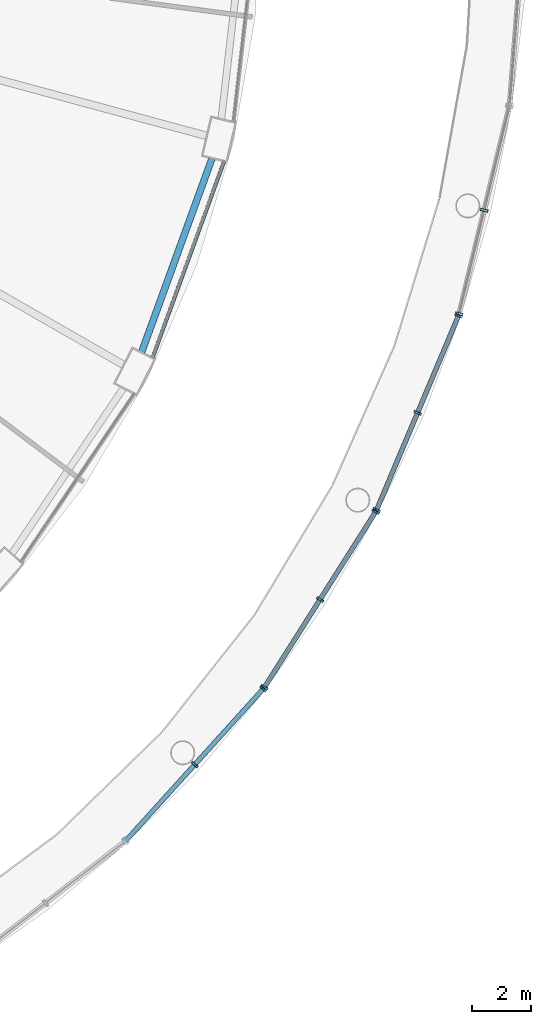
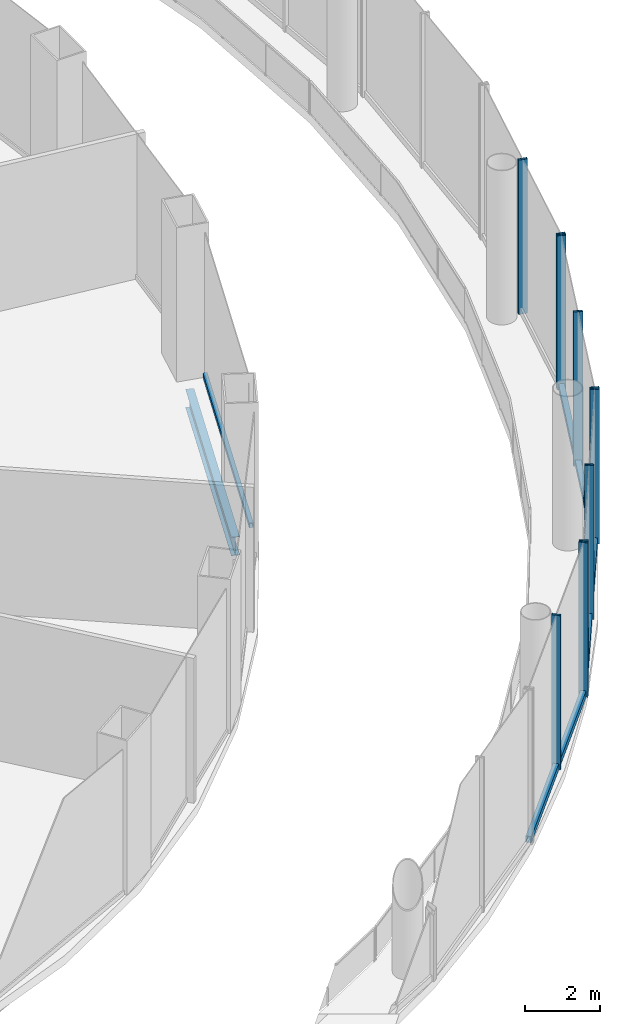
# One storey, part 24 of 47: 14 members, 1 beam, 5 elements without a shape of their own.
"""IFC4 building model written with IfcOpenShell, lengths in metres."""

from ifc_helpers import new_model, si_unit, direction, frame, origin, origin_2d, place, context, subcontext, project, spatial, hollow_rectangle, i_section, extrude, material, layer, layer_set, material_profile, profile_set, type_object, element, aggregate, save


model = new_model("IFC4")

# Units and contexts
model_context = context("Model", 3, precision=1e-05, world=origin(), true_north=direction((0.0, 1.0)))
body_context = subcontext(model_context, "Body", "Model", "MODEL_VIEW")
ifc_project = project(units=[si_unit("LENGTHUNIT", "METRE"), si_unit("AREAUNIT", "SQUARE_METRE"), si_unit("VOLUMEUNIT", "CUBIC_METRE"), si_unit("PLANEANGLEUNIT", "RADIAN"), si_unit("MASSUNIT", "GRAM", prefix="KILO")], contexts=[model_context])

# Site, building, storey
site_placement = place(None, origin())
site = spatial("IfcSite", under=ifc_project, at=site_placement, CompositionType="ELEMENT")
building_placement = place(site_placement, origin())
building = spatial("IfcBuilding", under=site, at=building_placement, Name="Nagisa Residences", CompositionType="ELEMENT")
storey_placement = place(building_placement, frame((0.0, 0.0, 17.0)))
storey = spatial("IfcBuildingStorey", under=building, at=storey_placement, Name="L03", CompositionType="ELEMENT", Elevation=17.0)

# Curtain wall, members
ifc_material_1 = material(Name="Stainless steel curtain wall system", Category="steel")
ifc_layer_1 = layer(ifc_material_1, 0.159912109375)
ifc_layer_set_1 = layer_set([ifc_layer_1], Name="CW3 CURTAIN WALL")
curtain_wall_type_1 = type_object("IfcCurtainWallType", Name="CW3 CURTAIN WALL", PredefinedType="NOTDEFINED", material=ifc_layer_set_1)
curtain_wall_1_placement = place(storey_placement, origin())
curtain_wall_1 = element("IfcCurtainWall", 1, at=curtain_wall_1_placement, inside=storey, type_object=curtain_wall_type_1, Name="cw:CW3:L03:31", PredefinedType="NOTDEFINED")
ifc_material_2 = material(Name="Stainless steel", Category="steel")
ifc_material_profile_1 = material_profile(ifc_material_2, hollow_rectangle(XDim=0.25, YDim=0.080078125, WallThickness=0.008056640625, at=origin_2d()), Name="CW3 MULLION 250x80")
ifc_profile_set_1 = profile_set([ifc_material_profile_1], Name="Stainless steel")
member_type_1 = type_object("IfcMemberType", Name="CW3 MULLION 250x80", PredefinedType="MULLION", material=ifc_profile_set_1)
member_1_placement = place(storey_placement, frame((30.30859375, -29.53173828125, 0.0), z_axis=(0.0, 0.0, 1.0), x_axis=(-0.741535779122, 0.670913323971, 0.0)))
member_1 = element("IfcMember", 2, at=member_1_placement, type_object=member_type_1, Name="CW3 mullion", PredefinedType="MULLION", context=body_context, shape_type="SweptSolid", body=[
    extrude(hollow_rectangle(XDim=0.25, YDim=0.080078125, WallThickness=0.008056640625, at=origin_2d()), origin(), (0.0, 0.0, 1.0), 5.0),
])
member_2_placement = place(storey_placement, frame((32.62353515625, -26.97314453125, 0.0), z_axis=(0.0, 0.0, 1.0), x_axis=(-0.741535779122, 0.670913323971, 0.0)))
member_2 = element("IfcMember", 3, at=member_2_placement, type_object=member_type_1, Name="CW3 mullion", PredefinedType="MULLION", context=body_context, shape_type="SweptSolid", body=[
    extrude(hollow_rectangle(XDim=0.25, YDim=0.080078125, WallThickness=0.008056640625, at=origin_2d()), origin(), (0.0, 0.0, 1.0), 5.0),
])

curtain_wall_2_placement = place(storey_placement, origin())
curtain_wall_2 = element("IfcCurtainWall", 4, at=curtain_wall_2_placement, inside=storey, type_object=curtain_wall_type_1, Name="cw:CW3:L03:32", PredefinedType="NOTDEFINED")
member_3_placement = place(storey_placement, frame((32.66357421875, -26.92041015625, 0.0), z_axis=(0.0, 0.0, 1.0), x_axis=(-0.844747368001, 0.535165286856, 0.0)))
member_3 = element("IfcMember", 5, at=member_3_placement, type_object=member_type_1, Name="CW3 mullion", PredefinedType="MULLION", context=body_context, shape_type="SweptSolid", body=[
    extrude(hollow_rectangle(XDim=0.25, YDim=0.080078125, WallThickness=0.008056640625, at=origin_2d()), origin(), (0.0, 0.0, 1.0), 5.0),
])
member_4_placement = place(storey_placement, frame((34.541748046875, -23.955810546875, 0.0), z_axis=(0.0, 0.0, 1.0), x_axis=(-0.844747368001, 0.535165286856, 0.0)))
member_4 = element("IfcMember", 6, at=member_4_placement, type_object=member_type_1, Name="CW3 mullion", PredefinedType="MULLION", context=body_context, shape_type="SweptSolid", body=[
    extrude(hollow_rectangle(XDim=0.25, YDim=0.080078125, WallThickness=0.008056640625, at=origin_2d()), origin(), (0.0, 0.0, 1.0), 5.0),
])
member_5_placement = place(storey_placement, frame((36.419921875, -20.990966796875, 0.0), z_axis=(0.0, 0.0, 1.0), x_axis=(-0.844747368001, 0.535165286856, 0.0)))
member_5 = element("IfcMember", 7, at=member_5_placement, type_object=member_type_1, Name="CW3 mullion", PredefinedType="MULLION", context=body_context, shape_type="SweptSolid", body=[
    extrude(hollow_rectangle(XDim=0.25, YDim=0.080078125, WallThickness=0.008056640625, at=origin_2d()), origin(), (0.0, 0.0, 1.0), 5.0),
])

curtain_wall_3_placement = place(storey_placement, origin())
curtain_wall_3 = element("IfcCurtainWall", 8, at=curtain_wall_3_placement, inside=storey, type_object=curtain_wall_type_1, Name="cw:CW3:L03:33", PredefinedType="NOTDEFINED")
member_6_placement = place(storey_placement, frame((36.45068359375, -20.93212890625, 0.0), z_axis=(0.0, 0.0, 1.0), x_axis=(-0.921356767819, 0.388718029417, 0.0)))
member_6 = element("IfcMember", 9, at=member_6_placement, type_object=member_type_1, Name="CW3 mullion", PredefinedType="MULLION", context=body_context, shape_type="SweptSolid", body=[
    extrude(hollow_rectangle(XDim=0.25, YDim=0.080078125, WallThickness=0.008056640625, at=origin_2d()), origin(), (0.0, 0.0, 1.0), 5.0),
])
member_7_placement = place(storey_placement, frame((37.8349609375, -17.6513671875, 0.0), z_axis=(0.0, 0.0, 1.0), x_axis=(-0.921356767819, 0.388718029417, 0.0)))
member_7 = element("IfcMember", 10, at=member_7_placement, type_object=member_type_1, Name="CW3 mullion", PredefinedType="MULLION", context=body_context, shape_type="SweptSolid", body=[
    extrude(hollow_rectangle(XDim=0.25, YDim=0.080078125, WallThickness=0.008056640625, at=origin_2d()), origin(), (0.0, 0.0, 1.0), 5.0),
])
member_8_placement = place(storey_placement, frame((39.218994140625, -14.37060546875, 0.0), z_axis=(0.0, 0.0, 1.0), x_axis=(-0.921356767819, 0.388718029417, 0.0)))
member_8 = element("IfcMember", 11, at=member_8_placement, type_object=member_type_1, Name="CW3 mullion", PredefinedType="MULLION", context=body_context, shape_type="SweptSolid", body=[
    extrude(hollow_rectangle(XDim=0.25, YDim=0.080078125, WallThickness=0.008056640625, at=origin_2d()), origin(), (0.0, 0.0, 1.0), 5.0),
])

curtain_wall_4_placement = place(storey_placement, origin())
curtain_wall_4 = element("IfcCurtainWall", 12, at=curtain_wall_4_placement, inside=storey, type_object=curtain_wall_type_1, Name="cw:CW3:L03:34", PredefinedType="NOTDEFINED")
member_9_placement = place(storey_placement, frame((39.239990234375, -14.30712890625, 0.0), z_axis=(0.0, 0.0, 1.0), x_axis=(-0.971848775146, 0.235605514043, 0.0)))
member_9 = element("IfcMember", 13, at=member_9_placement, type_object=member_type_1, Name="CW3 mullion", PredefinedType="MULLION", context=body_context, shape_type="SweptSolid", body=[
    extrude(hollow_rectangle(XDim=0.25, YDim=0.080078125, WallThickness=0.008056640625, at=origin_2d()), origin(), (0.0, 0.0, 1.0), 5.0),
])
member_10_placement = place(storey_placement, frame((40.087646484375, -10.810302734375, 0.0), z_axis=(0.0, 0.0, 1.0), x_axis=(-0.971848775146, 0.235605514043, 0.0)))
member_10 = element("IfcMember", 14, at=member_10_placement, type_object=member_type_1, Name="CW3 mullion", PredefinedType="MULLION", context=body_context, shape_type="SweptSolid", body=[
    extrude(hollow_rectangle(XDim=0.25, YDim=0.080078125, WallThickness=0.008056640625, at=origin_2d()), origin(), (0.0, 0.0, 1.0), 5.0),
])
aggregate(curtain_wall_4, [member_9, member_10])

# Member
ifc_material_3 = material(Name="Stainless steel", Category="steel")
ifc_material_profile_2 = material_profile(ifc_material_3, hollow_rectangle(XDim=0.159912109375, YDim=0.199951171875, WallThickness=0.008056640625, at=origin_2d()), Name="CW3 TRANSOM 160x200")
ifc_profile_set_2 = profile_set([ifc_material_profile_2], Name="Stainless steel")
member_type_2 = type_object("IfcMemberType", Name="CW3 TRANSOM 160x200", PredefinedType="USERDEFINED", material=ifc_profile_set_2)
member_11_placement = place(storey_placement, frame((27.966552734375, -32.1201171875, 0.10009765625), z_axis=(0.670921565259, 0.741528322635, 0.0), x_axis=(-0.741528322635, 0.670921565259, 0.0)))
member_11 = element("IfcMember", 15, at=member_11_placement, type_object=member_type_2, Name="CW3 transom", ObjectType="TRANSOM", PredefinedType="USERDEFINED", context=body_context, shape_type="SweptSolid", body=[
    extrude(hollow_rectangle(XDim=0.159912109375, YDim=0.199951171875, WallThickness=0.008056640625, at=origin_2d()), origin(), (0.0, 0.0, 1.0), 6.981201171875),
])

aggregate(curtain_wall_1, [member_1, member_2, member_11])

member_12_placement = place(storey_placement, frame((32.64208984375, -26.954345703125, 0.10009765625), z_axis=(0.535169889444, 0.844744452147, 0.0), x_axis=(-0.844744452147, 0.535169889444, 0.0)))
member_12 = element("IfcMember", 16, at=member_12_placement, type_object=member_type_2, Name="CW3 transom", ObjectType="TRANSOM", PredefinedType="USERDEFINED", context=body_context, shape_type="SweptSolid", body=[
    extrude(hollow_rectangle(XDim=0.159912109375, YDim=0.199951171875, WallThickness=0.008056640625, at=origin_2d()), origin(), (0.0, 0.0, 1.0), 7.099365234375),
])

aggregate(curtain_wall_2, [member_3, member_4, member_5, member_12])

member_13_placement = place(storey_placement, frame((36.435302734375, -20.968994140625, 0.10009765625), z_axis=(0.388708599467, 0.921360746234, 0.0), x_axis=(-0.921360746234, 0.388708599467, 0.0)))
member_13 = element("IfcMember", 17, at=member_13_placement, type_object=member_type_2, Name="CW3 transom", ObjectType="TRANSOM", PredefinedType="USERDEFINED", context=body_context, shape_type="SweptSolid", body=[
    extrude(hollow_rectangle(XDim=0.159912109375, YDim=0.199951171875, WallThickness=0.008056640625, at=origin_2d()), origin(), (0.0, 0.0, 1.0), 7.20166015625),
])

aggregate(curtain_wall_3, [member_6, member_7, member_8, member_13])

# Curtain wall, member
ifc_material_4 = material(Name="Stainless steel curtain wall system", Category="steel")
ifc_layer_2 = layer(ifc_material_4, 0.159912109375)
ifc_layer_set_2 = layer_set([ifc_layer_2], Name="CW6 CURTAIN WALL")
curtain_wall_type_2 = type_object("IfcCurtainWallType", Name="CW6 CURTAIN WALL", PredefinedType="NOTDEFINED", material=ifc_layer_set_2)
curtain_wall_5_placement = place(storey_placement, origin())
curtain_wall_5 = element("IfcCurtainWall", 18, at=curtain_wall_5_placement, inside=storey, type_object=curtain_wall_type_2, Name="cw:CW6:L03:44", PredefinedType="NOTDEFINED")
ifc_material_5 = material(Name="Stainless steel", Category="steel")
ifc_material_profile_3 = material_profile(ifc_material_5, hollow_rectangle(XDim=0.1201171875, YDim=0.14990234375, WallThickness=0.008056640625, at=origin_2d()), Name="CW6 TRANSOM 120x150")
ifc_profile_set_3 = profile_set([ifc_material_profile_3], Name="Stainless steel")
member_type_3 = type_object("IfcMemberType", Name="CW6 TRANSOM 120x150", PredefinedType="USERDEFINED", material=ifc_profile_set_3)
member_14_placement = place(storey_placement, frame((28.87890625, -15.81494140625, 0.074951171875), z_axis=(0.342039719013, 0.939685495587, 0.0), x_axis=(-0.939685495587, 0.342039719013, 0.0)))
member_14 = element("IfcMember", 19, at=member_14_placement, type_object=member_type_3, Name="CW6 transom", ObjectType="TRANSOM", PredefinedType="USERDEFINED", context=body_context, shape_type="SweptSolid", body=[
    extrude(hollow_rectangle(XDim=0.1201171875, YDim=0.14990234375, WallThickness=0.008056640625, at=origin_2d()), origin(), (0.0, 0.0, 1.0), 7.070068359375),
])
aggregate(curtain_wall_5, [member_14])

# Beam
ifc_material_6 = material(Name="Steel ASTM A572 Gr 50", Category="steel")
ifc_material_profile_4 = material_profile(ifc_material_6, i_section(OverallWidth=0.22802734375, OverallDepth=0.60302734375, WebThickness=0.010498046875, FlangeThickness=0.014892578125, at=origin_2d()), Name="W610x101")
ifc_profile_set_4 = profile_set([ifc_material_profile_4], Name="Steel ASTM A572 Gr 50")
beam_type = type_object("IfcBeamType", Name="Perimeter ring beam W610x101", PredefinedType="BEAM", material=ifc_profile_set_4)
beam_placement = place(storey_placement, frame((28.515625, -15.60595703125, -0.6015625), z_axis=(0.341411143183, 0.939914055279, 0.0), x_axis=(-0.939914055279, 0.341411143183, 0.0)))
element("IfcBeam", 20, at=beam_placement, inside=storey, type_object=beam_type, Name="beam:L03:pb23", PredefinedType="BEAM", context=body_context, shape_type="SweptSolid", body=[
    extrude(i_section(OverallWidth=0.22802734375, OverallDepth=0.60302734375, WebThickness=0.010498046875, FlangeThickness=0.014892578125, at=origin_2d()), origin(), (0.0, 0.0, 1.0), 6.96923828125),
])

save(model, "model.ifc")
